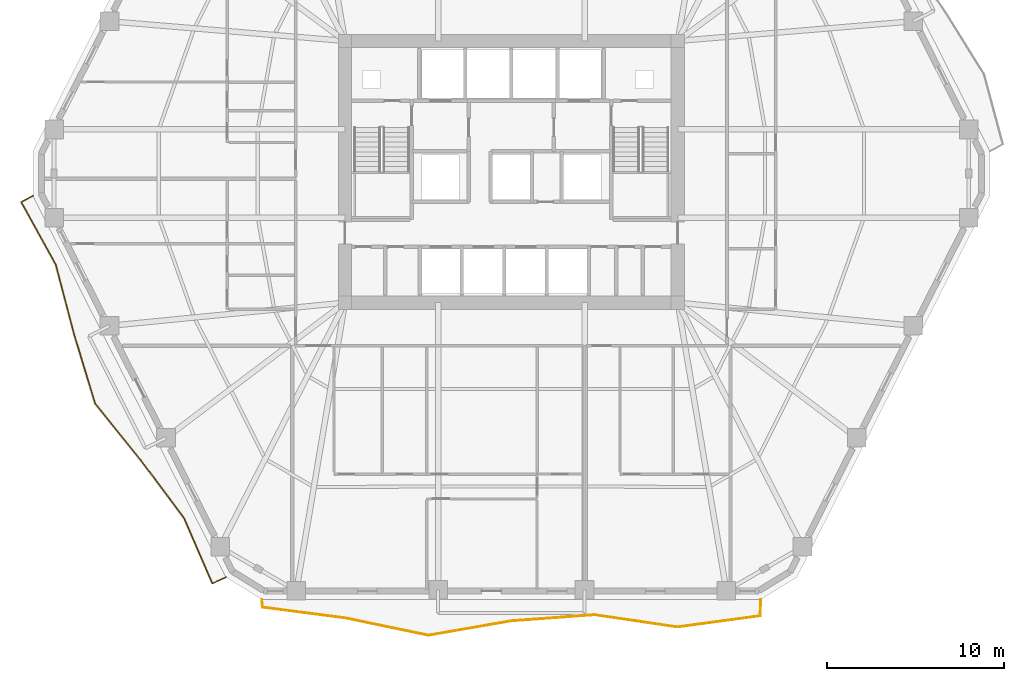
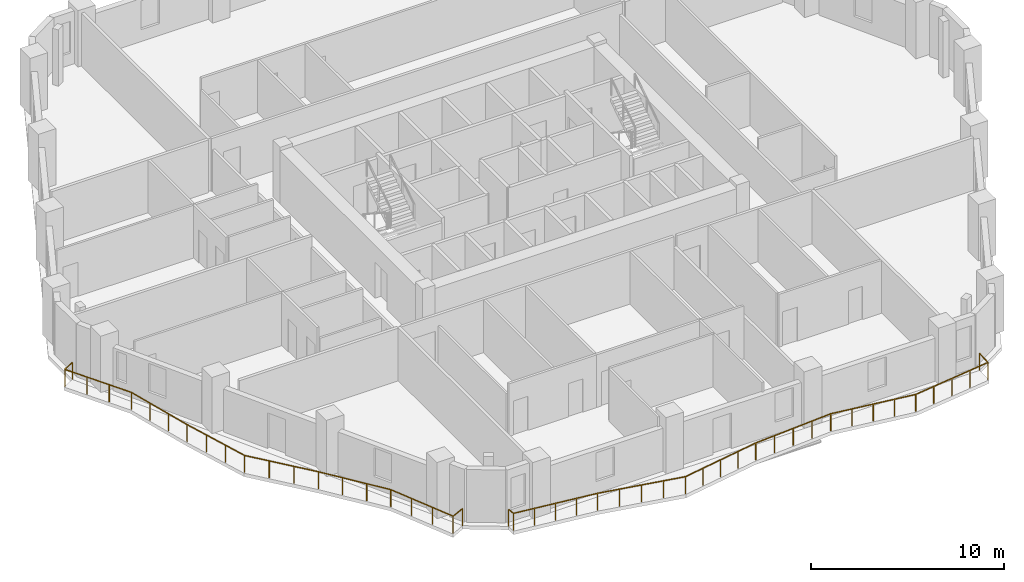
# One storey, part 9 of 11: 2 railings.
"""IFC4 building model written with IfcOpenShell, lengths in metres."""

from ifc_helpers import new_model, si_unit, direction, frame, origin, origin_2d, place, context, subcontext, project, spatial, rectangle, extrude, material, type_object, element, save


model = new_model("IFC4")

# Units and contexts
model_context = context("Model", 3, precision=1e-05, world=origin(), true_north=direction((0.0, 1.0)))
body_context = subcontext(model_context, "Body", "Model", "MODEL_VIEW")
ifc_project = project(units=[si_unit("LENGTHUNIT", "METRE"), si_unit("AREAUNIT", "SQUARE_METRE"), si_unit("VOLUMEUNIT", "CUBIC_METRE"), si_unit("PLANEANGLEUNIT", "RADIAN"), si_unit("MASSUNIT", "GRAM", prefix="KILO")], contexts=[model_context])

# Site, building, storey
site_placement = place(None, origin())
site = spatial("IfcSite", under=ifc_project, at=site_placement, CompositionType="ELEMENT")
building_placement = place(site_placement, origin())
building = spatial("IfcBuilding", under=site, at=building_placement, Name="Cinnabar Lancet Tower", CompositionType="ELEMENT")
storey_placement = place(building_placement, frame((0.0, 0.0, 90.64990234375)))
storey = spatial("IfcBuildingStorey", under=building, at=storey_placement, Name="L23", CompositionType="ELEMENT", Elevation=90.64990234375)

# Railings
ifc_material = material(Name="Laminated safety glass and bronze stainless steel balustrade", Category="steel")
railing_type = type_object("IfcRailingType", Name="ENV-RLG-BAL-1100", PredefinedType="BALUSTRADE", material=ifc_material)
railing_1_placement = place(storey_placement, frame((18.343994140625, 1.800048828125, 0.0)))
element("IfcRailing", 1, at=railing_1_placement, inside=storey, type_object=railing_type, Name="L23 Face 1 Wave Balcony Balustrade", PredefinedType="BALUSTRADE", context=body_context, shape_type="SweptSolid", body=[
    extrude(rectangle(XDim=0.048095703125, YDim=0.048095703125, at=origin_2d()), frame((0.0, 0.0, 1.076171875), z_axis=(0.079282460162, -0.996852191406, 0.0), x_axis=(0.996852191406, 0.079282460162, 0.0)), (0.0, 0.0, 1.0), 0.4404296875),
    extrude(rectangle(XDim=0.048095703125, YDim=0.048095703125, at=origin_2d()), frame((0.034912109375, -0.43896484375, 1.076171875), z_axis=(0.991641374809, -0.129024740906, 0.0), x_axis=(0.129024740906, 0.991641374809, 0.0)), (0.0, 0.0, 1.0), 4.71337890625),
    extrude(rectangle(XDim=0.048095703125, YDim=0.048095703125, at=origin_2d()), frame((4.708984375, -1.047119140625, 1.076171875), z_axis=(0.979016566074, -0.203780674631, 0.0), x_axis=(0.203780674631, 0.979016566074, 0.0)), (0.0, 0.0, 1.0), 4.774169921875),
    extrude(rectangle(XDim=0.048095703125, YDim=0.048095703125, at=origin_2d()), frame((9.383056640625, -2.02001953125, 1.076171875), z_axis=(0.985235169187, 0.171206487603, 0.0), x_axis=(-0.171206487603, 0.985235169187, 0.0)), (0.0, 0.0, 1.0), 4.742919921875),
    extrude(rectangle(XDim=0.048095703125, YDim=0.048095703125, at=origin_2d()), frame((14.055908203125, -1.2080078125, 1.076171875), z_axis=(0.997315746297, 0.073220913599, 0.0), x_axis=(-0.073220913599, 0.997315746297, 0.0)), (0.0, 0.0, 1.0), 4.684814453125),
    extrude(rectangle(XDim=0.048095703125, YDim=0.048095703125, at=origin_2d()), frame((18.72802734375, -0.864990234375, 1.076171875), z_axis=(0.989344474991, -0.145593646171, 0.0), x_axis=(0.145593646171, 0.989344474991, 0.0)), (0.0, 0.0, 1.0), 4.725341796875),
    extrude(rectangle(XDim=0.048095703125, YDim=0.048095703125, at=origin_2d()), frame((23.403076171875, -1.552978515625, 1.076171875), z_axis=(0.991072633101, 0.133323050962, 0.0), x_axis=(-0.133323050962, 0.991072633101, 0.0)), (0.0, 0.0, 1.0), 4.717041015625),
    extrude(rectangle(XDim=0.048095703125, YDim=0.048095703125, at=origin_2d()), frame((28.078125, -0.924072265625, 1.076171875), z_axis=(0.036699171422, 0.999326358512, 0.0), x_axis=(-0.999326358512, 0.036699171422, 0.0)), (0.0, 0.0, 1.0), 0.9248046875),
    extrude(rectangle(XDim=0.0419921875, YDim=0.0419921875, at=origin_2d()), origin(), (0.0, 0.0, 1.0), 1.052001953125),
    extrude(rectangle(XDim=0.0419921875, YDim=0.0419921875, at=origin_2d()), frame((0.034912109375, -0.43896484375, 0.0)), (0.0, 0.0, 1.0), 1.052001953125),
    extrude(rectangle(XDim=0.0419921875, YDim=0.0419921875, at=origin_2d()), frame((1.203369140625, -0.591064453125, 0.0)), (0.0, 0.0, 1.0), 1.052001953125),
    extrude(rectangle(XDim=0.0419921875, YDim=0.0419921875, at=origin_2d()), frame((2.3720703125, -0.7431640625, 0.0)), (0.0, 0.0, 1.0), 1.052001953125),
    extrude(rectangle(XDim=0.0419921875, YDim=0.0419921875, at=origin_2d()), frame((3.54052734375, -0.89501953125, 0.0)), (0.0, 0.0, 1.0), 1.052001953125),
    extrude(rectangle(XDim=0.0419921875, YDim=0.0419921875, at=origin_2d()), frame((4.708984375, -1.047119140625, 0.0)), (0.0, 0.0, 1.0), 1.052001953125),
    extrude(rectangle(XDim=0.0419921875, YDim=0.0419921875, at=origin_2d()), frame((5.87744140625, -1.290283203125, 0.0)), (0.0, 0.0, 1.0), 1.052001953125),
    extrude(rectangle(XDim=0.0419921875, YDim=0.0419921875, at=origin_2d()), frame((7.0458984375, -1.53369140625, 0.0)), (0.0, 0.0, 1.0), 1.052001953125),
    extrude(rectangle(XDim=0.0419921875, YDim=0.0419921875, at=origin_2d()), frame((8.214599609375, -1.77685546875, 0.0)), (0.0, 0.0, 1.0), 1.052001953125),
    extrude(rectangle(XDim=0.0419921875, YDim=0.0419921875, at=origin_2d()), frame((9.383056640625, -2.02001953125, 0.0)), (0.0, 0.0, 1.0), 1.052001953125),
    extrude(rectangle(XDim=0.0419921875, YDim=0.0419921875, at=origin_2d()), frame((10.55126953125, -1.81689453125, 0.0)), (0.0, 0.0, 1.0), 1.052001953125),
    extrude(rectangle(XDim=0.0419921875, YDim=0.0419921875, at=origin_2d()), frame((11.719482421875, -1.614013671875, 0.0)), (0.0, 0.0, 1.0), 1.052001953125),
    extrude(rectangle(XDim=0.0419921875, YDim=0.0419921875, at=origin_2d()), frame((12.8876953125, -1.4111328125, 0.0)), (0.0, 0.0, 1.0), 1.052001953125),
    extrude(rectangle(XDim=0.0419921875, YDim=0.0419921875, at=origin_2d()), frame((14.055908203125, -1.2080078125, 0.0)), (0.0, 0.0, 1.0), 1.052001953125),
    extrude(rectangle(XDim=0.0419921875, YDim=0.0419921875, at=origin_2d()), frame((15.223876953125, -1.122314453125, 0.0)), (0.0, 0.0, 1.0), 1.052001953125),
    extrude(rectangle(XDim=0.0419921875, YDim=0.0419921875, at=origin_2d()), frame((16.39208984375, -1.03662109375, 0.0)), (0.0, 0.0, 1.0), 1.052001953125),
    extrude(rectangle(XDim=0.0419921875, YDim=0.0419921875, at=origin_2d()), frame((17.56005859375, -0.95068359375, 0.0)), (0.0, 0.0, 1.0), 1.052001953125),
    extrude(rectangle(XDim=0.0419921875, YDim=0.0419921875, at=origin_2d()), frame((18.72802734375, -0.864990234375, 0.0)), (0.0, 0.0, 1.0), 1.052001953125),
    extrude(rectangle(XDim=0.0419921875, YDim=0.0419921875, at=origin_2d()), frame((19.896728515625, -1.037109375, 0.0)), (0.0, 0.0, 1.0), 1.052001953125),
    extrude(rectangle(XDim=0.0419921875, YDim=0.0419921875, at=origin_2d()), frame((21.0654296875, -1.208984375, 0.0)), (0.0, 0.0, 1.0), 1.052001953125),
    extrude(rectangle(XDim=0.0419921875, YDim=0.0419921875, at=origin_2d()), frame((22.234375, -1.380859375, 0.0)), (0.0, 0.0, 1.0), 1.052001953125),
    extrude(rectangle(XDim=0.0419921875, YDim=0.0419921875, at=origin_2d()), frame((23.403076171875, -1.552978515625, 0.0)), (0.0, 0.0, 1.0), 1.052001953125),
    extrude(rectangle(XDim=0.0419921875, YDim=0.0419921875, at=origin_2d()), frame((24.57177734375, -1.395751953125, 0.0)), (0.0, 0.0, 1.0), 1.052001953125),
    extrude(rectangle(XDim=0.0419921875, YDim=0.0419921875, at=origin_2d()), frame((25.74072265625, -1.238525390625, 0.0)), (0.0, 0.0, 1.0), 1.052001953125),
    extrude(rectangle(XDim=0.0419921875, YDim=0.0419921875, at=origin_2d()), frame((26.909423828125, -1.081298828125, 0.0)), (0.0, 0.0, 1.0), 1.052001953125),
    extrude(rectangle(XDim=0.0419921875, YDim=0.0419921875, at=origin_2d()), frame((28.078125, -0.924072265625, 0.0)), (0.0, 0.0, 1.0), 1.052001953125),
    extrude(rectangle(XDim=0.0419921875, YDim=0.0419921875, at=origin_2d()), frame((28.112060546875, 0.0, 0.0)), (0.0, 0.0, 1.0), 1.052001953125),
])
railing_2_placement = place(storey_placement, frame((5.431884765625, 24.551025390625, 0.0)))
element("IfcRailing", 2, at=railing_2_placement, inside=storey, type_object=railing_type, Name="L23 Face 6 Wave Balcony Balustrade", PredefinedType="BALUSTRADE", context=body_context, shape_type="SweptSolid", body=[
    extrude(rectangle(XDim=0.048095703125, YDim=0.048095703125, at=origin_2d()), frame((0.0, 0.0, 1.076171875), z_axis=(-0.874699209671, -0.48466616614, 0.0), x_axis=(0.48466616614, -0.874699209671, 0.0)), (0.0, 0.0, 1.0), 0.742919921875),
    extrude(rectangle(XDim=0.048095703125, YDim=0.048095703125, at=origin_2d()), frame((-0.64990234375, -0.360107421875, 1.076171875), z_axis=(0.48424682148, -0.874931434963, 0.0), x_axis=(0.874931434963, 0.48424682148, 0.0)), (0.0, 0.0, 1.0), 4.0107421875),
    extrude(rectangle(XDim=0.048095703125, YDim=0.048095703125, at=origin_2d()), frame((1.292236328125, -3.869140625, 1.076171875), z_axis=(0.254634125841, -0.967037466677, 0.0), x_axis=(0.967037466677, 0.254634125841, 0.0)), (0.0, 0.0, 1.0), 4.095947265625),
    extrude(rectangle(XDim=0.048095703125, YDim=0.048095703125, at=origin_2d()), frame((2.335205078125, -7.830078125, 1.076171875), z_axis=(0.290932220165, -0.956743666438, 0.0), x_axis=(0.956743666438, 0.290932220165, 0.0)), (0.0, 0.0, 1.0), 4.065673828125),
    extrude(rectangle(XDim=0.048095703125, YDim=0.048095703125, at=origin_2d()), frame((3.51806640625, -11.719970703125, 1.076171875), z_axis=(0.628459153056, -0.777842588793, 0.0), x_axis=(0.777842588793, 0.628459153056, 0.0)), (0.0, 0.0, 1.0), 4.09716796875),
    extrude(rectangle(XDim=0.048095703125, YDim=0.048095703125, at=origin_2d()), frame((6.093017578125, -14.906982421875, 1.076171875), z_axis=(0.597508579012, -0.801862518146, 0.0), x_axis=(0.801862518146, 0.597508579012, 0.0)), (0.0, 0.0, 1.0), 4.0654296875),
    extrude(rectangle(XDim=0.048095703125, YDim=0.048095703125, at=origin_2d()), frame((8.522216796875, -18.1669921875, 1.076171875), z_axis=(0.397416343038, -0.917638409335, 0.0), x_axis=(0.917638409335, 0.397416343038, 0.0)), (0.0, 0.0, 1.0), 4.015869140625),
    extrude(rectangle(XDim=0.048095703125, YDim=0.048095703125, at=origin_2d()), frame((10.1181640625, -21.85205078125, 1.076171875), z_axis=(0.908673858704, 0.417506668818, 0.0), x_axis=(-0.417506668818, 0.908673858704, 0.0)), (0.0, 0.0, 1.0), 0.838623046875),
    extrude(rectangle(XDim=0.0419921875, YDim=0.0419921875, at=origin_2d()), origin(), (0.0, 0.0, 1.0), 1.052001953125),
    extrude(rectangle(XDim=0.0419921875, YDim=0.0419921875, at=origin_2d()), frame((-0.64990234375, -0.360107421875, 0.0)), (0.0, 0.0, 1.0), 1.052001953125),
    extrude(rectangle(XDim=0.0419921875, YDim=0.0419921875, at=origin_2d()), frame((-0.00244140625, -1.52978515625, 0.0)), (0.0, 0.0, 1.0), 1.052001953125),
    extrude(rectangle(XDim=0.0419921875, YDim=0.0419921875, at=origin_2d()), frame((0.644775390625, -2.699462890625, 0.0)), (0.0, 0.0, 1.0), 1.052001953125),
    extrude(rectangle(XDim=0.0419921875, YDim=0.0419921875, at=origin_2d()), frame((1.292236328125, -3.869140625, 0.0)), (0.0, 0.0, 1.0), 1.052001953125),
    extrude(rectangle(XDim=0.0419921875, YDim=0.0419921875, at=origin_2d()), frame((1.639892578125, -5.189453125, 0.0)), (0.0, 0.0, 1.0), 1.052001953125),
    extrude(rectangle(XDim=0.0419921875, YDim=0.0419921875, at=origin_2d()), frame((1.987548828125, -6.509765625, 0.0)), (0.0, 0.0, 1.0), 1.052001953125),
    extrude(rectangle(XDim=0.0419921875, YDim=0.0419921875, at=origin_2d()), frame((2.335205078125, -7.830078125, 0.0)), (0.0, 0.0, 1.0), 1.052001953125),
    extrude(rectangle(XDim=0.0419921875, YDim=0.0419921875, at=origin_2d()), frame((2.7294921875, -9.126708984375, 0.0)), (0.0, 0.0, 1.0), 1.052001953125),
    extrude(rectangle(XDim=0.0419921875, YDim=0.0419921875, at=origin_2d()), frame((3.123779296875, -10.42333984375, 0.0)), (0.0, 0.0, 1.0), 1.052001953125),
    extrude(rectangle(XDim=0.0419921875, YDim=0.0419921875, at=origin_2d()), frame((3.51806640625, -11.719970703125, 0.0)), (0.0, 0.0, 1.0), 1.052001953125),
    extrude(rectangle(XDim=0.0419921875, YDim=0.0419921875, at=origin_2d()), frame((4.37646484375, -12.7822265625, 0.0)), (0.0, 0.0, 1.0), 1.052001953125),
    extrude(rectangle(XDim=0.0419921875, YDim=0.0419921875, at=origin_2d()), frame((5.234619140625, -13.8447265625, 0.0)), (0.0, 0.0, 1.0), 1.052001953125),
    extrude(rectangle(XDim=0.0419921875, YDim=0.0419921875, at=origin_2d()), frame((6.093017578125, -14.906982421875, 0.0)), (0.0, 0.0, 1.0), 1.052001953125),
    extrude(rectangle(XDim=0.0419921875, YDim=0.0419921875, at=origin_2d()), frame((6.90283203125, -15.99365234375, 0.0)), (0.0, 0.0, 1.0), 1.052001953125),
    extrude(rectangle(XDim=0.0419921875, YDim=0.0419921875, at=origin_2d()), frame((7.71240234375, -17.080322265625, 0.0)), (0.0, 0.0, 1.0), 1.052001953125),
    extrude(rectangle(XDim=0.0419921875, YDim=0.0419921875, at=origin_2d()), frame((8.522216796875, -18.1669921875, 0.0)), (0.0, 0.0, 1.0), 1.052001953125),
    extrude(rectangle(XDim=0.0419921875, YDim=0.0419921875, at=origin_2d()), frame((9.05419921875, -19.395263671875, 0.0)), (0.0, 0.0, 1.0), 1.052001953125),
    extrude(rectangle(XDim=0.0419921875, YDim=0.0419921875, at=origin_2d()), frame((9.586181640625, -20.623779296875, 0.0)), (0.0, 0.0, 1.0), 1.052001953125),
    extrude(rectangle(XDim=0.0419921875, YDim=0.0419921875, at=origin_2d()), frame((10.1181640625, -21.85205078125, 0.0)), (0.0, 0.0, 1.0), 1.052001953125),
    extrude(rectangle(XDim=0.0419921875, YDim=0.0419921875, at=origin_2d()), frame((10.880126953125, -21.501953125, 0.0)), (0.0, 0.0, 1.0), 1.052001953125),
])

save(model, "model.ifc")
